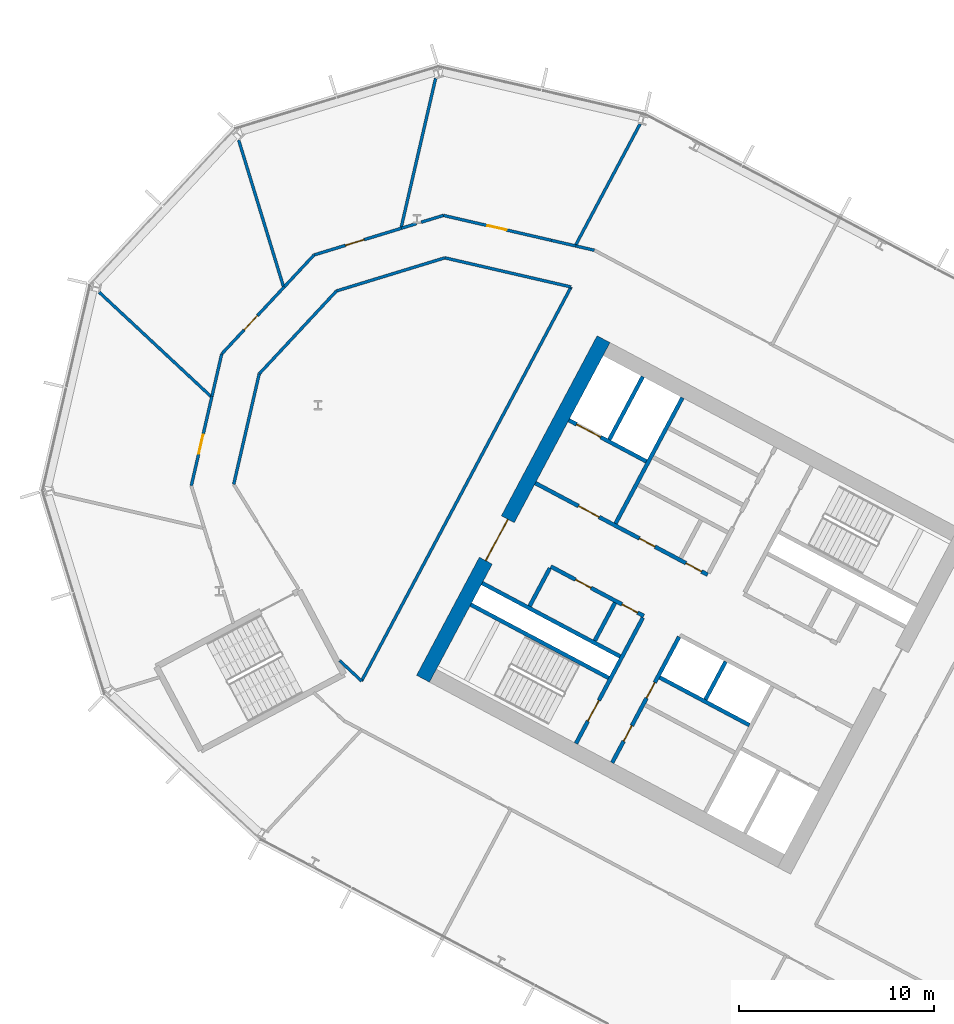
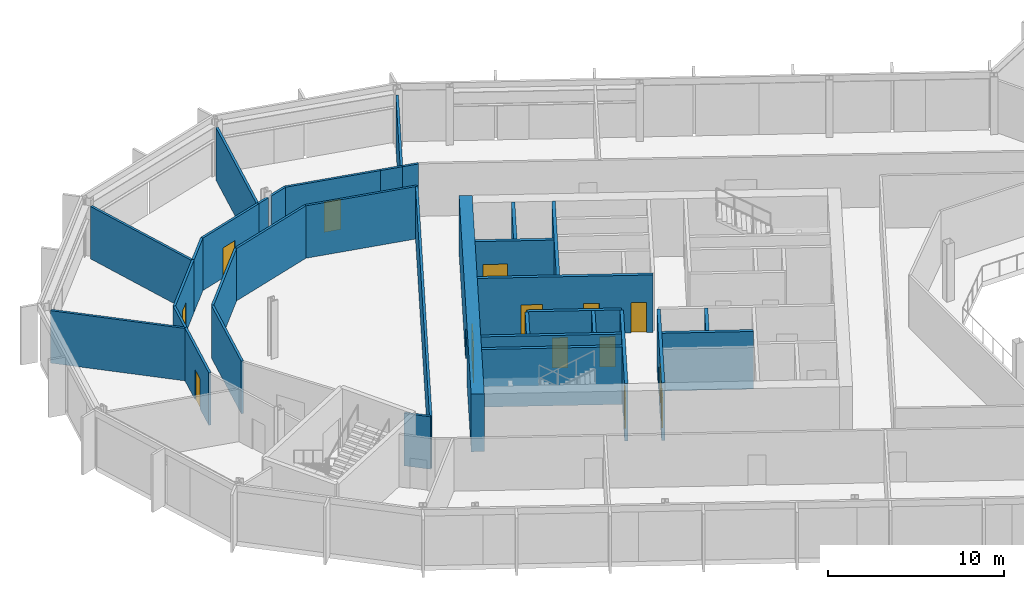
# One storey, part 14 of 28: 34 walls, 14 doors, 14 openings.
"""IFC4 building model written with IfcOpenShell, lengths in metres."""

from ifc_helpers import new_model, si_unit, direction, frame, frame_2d, origin, place, context, subcontext, project, spatial, rectangle, extrude, material, layer, layer_set, type_object, element, fill, save


model = new_model("IFC4")

# Units and contexts
model_context = context("Model", 3, precision=1e-05, world=origin(), true_north=direction((0.0, 1.0)))
body_context = subcontext(model_context, "Body", "Model", "MODEL_VIEW")
ifc_project = project(units=[si_unit("LENGTHUNIT", "METRE"), si_unit("AREAUNIT", "SQUARE_METRE"), si_unit("VOLUMEUNIT", "CUBIC_METRE"), si_unit("PLANEANGLEUNIT", "RADIAN"), si_unit("MASSUNIT", "GRAM", prefix="KILO")], contexts=[model_context])

# Site, building, storey
site_placement = place(None, origin())
site = spatial("IfcSite", under=ifc_project, at=site_placement, CompositionType="ELEMENT")
building_placement = place(site_placement, origin())
building = spatial("IfcBuilding", under=site, at=building_placement, Name="Cormorant Relay Tower", CompositionType="ELEMENT")
storey_placement = place(building_placement, frame((0.0, 0.0, 126.199951171875)))
storey = spatial("IfcBuildingStorey", under=building, at=storey_placement, Name="L25", CompositionType="ELEMENT", Elevation=126.199951171875)

# Walls
ifc_material_1 = material(Name="Concrete 40 MPa", Category="concrete")
ifc_layer_1 = layer(ifc_material_1, 0.199951171875)
ifc_layer_set_1 = layer_set([ifc_layer_1], Name="Core internal wall 200")
wall_type_1 = type_object("IfcWallType", Name="Core internal wall 200", PredefinedType="SOLIDWALL", material=ifc_layer_set_1)
wall_1_placement = place(storey_placement, frame((-25.744140625, 11.64990234375, 0.0), z_axis=(0.0, 0.0, 1.0), x_axis=(-0.469487830541, -0.882938942948, 0.0)))
element("IfcWall", 1, at=wall_1_placement, inside=storey, type_object=wall_type_1, Name="L25 core A shaft and room wall", PredefinedType="SOLIDWALL", context=body_context, shape_type="SweptSolid", body=[
    extrude(rectangle(XDim=2.2001953125, YDim=0.199951171875, at=frame_2d((1.10009765625, 0.0))), origin(), (0.0, 0.0, 1.0), 4.0),
])
wall_2_placement = place(storey_placement, frame((-31.41259765625, 14.663818359375, 0.0), z_axis=(0.0, 0.0, 1.0), x_axis=(-0.469533832133, -0.882914480843, 0.0)))
element("IfcWall", 2, at=wall_2_placement, inside=storey, type_object=wall_type_1, Name="L25 core A shaft and room wall", PredefinedType="SOLIDWALL", context=body_context, shape_type="SweptSolid", body=[
    extrude(rectangle(XDim=2.199951171875, YDim=0.199951171875, at=frame_2d((1.10009765625, 0.0))), origin(), (0.0, 0.0, 1.0), 4.0),
])

# Wall, openings, doors
ifc_material_2 = material(Name="Concrete 50 MPa", Category="concrete")
ifc_layer_2 = layer(ifc_material_2, 0.199951171875)
ifc_layer_set_2 = layer_set([ifc_layer_2], Name="Core shaft wall 200")
wall_type_2 = type_object("IfcWallType", Name="Core shaft wall 200", PredefinedType="SHEAR", material=ifc_layer_set_2)
wall_3_placement = place(storey_placement, frame((-28.128173828125, 12.91748046875, 0.0), z_axis=(0.0, 0.0, 1.0), x_axis=(-0.469454336211, -0.882956752176, 0.0)))
wall_3 = element("IfcWall", 3, at=wall_3_placement, inside=storey, type_object=wall_type_2, Name="L25 core A shaft wall", PredefinedType="SHEAR", context=body_context, shape_type="SweptSolid", body=[
    extrude(rectangle(XDim=7.300048828125, YDim=0.199951171875, at=frame_2d((3.64990234375, 0.0))), origin(), (0.0, 0.0, 1.0), 4.0),
])
opening_1_placement = place(wall_3_placement, frame((2.64990234375, 0.0, 0.0)))
opening_1 = element("IfcOpeningElement", 4, at=opening_1_placement, cuts=wall_3, Name="Opening CDD-172", PredefinedType="OPENING", context=body_context, shape_type="SweptSolid", body=[
    extrude(rectangle(XDim=0.89990234375, YDim=2.10009765625, at=frame_2d((0.449951171875, 1.050048828125))), frame((0.0, 0.10986328125, 0.0), z_axis=(0.0, -1.0, 0.0), x_axis=(1.0, 0.0, 0.0)), (0.0, 0.0, 1.0), 0.219970703125),
])
opening_2_placement = place(wall_3_placement, frame((5.14990234375, 0.0, 0.0)))
opening_2 = element("IfcOpeningElement", 5, at=opening_2_placement, cuts=wall_3, Name="Opening CDD-173", PredefinedType="OPENING", context=body_context, shape_type="SweptSolid", body=[
    extrude(rectangle(XDim=0.89990234375, YDim=2.10009765625, at=frame_2d((0.449951171875, 1.050048828125))), frame((0.0, 0.10986328125, 0.0), z_axis=(0.0, -1.0, 0.0), x_axis=(1.0, 0.0, 0.0)), (0.0, 0.0, 1.0), 0.219970703125),
])
ifc_material_3 = material(Name="Steel fire door", Category="steel")
door_type_1 = type_object("IfcDoorType", Name="Core room door 900x2100", OperationType="SINGLE_SWING_LEFT", PredefinedType="DOOR", material=ifc_material_3)
door_1_placement = place(opening_1_placement, origin())
door_1 = element("IfcDoor", 6, at=door_1_placement, inside=storey, type_object=door_type_1, Name="Core room door 900x2100", OperationType="SINGLE_SWING_LEFT", OverallHeight=2.10009765625, OverallWidth=0.89990234375, PredefinedType="DOOR", context=body_context, shape_type="SweptSolid", body=[
    extrude(rectangle(XDim=0.89990234375, YDim=2.10009765625, at=frame_2d((0.449951171875, 1.050048828125))), frame((0.0, 0.02490234375, 0.0), z_axis=(0.0, -1.0, 0.0), x_axis=(1.0, 0.0, 0.0)), (0.0, 0.0, 1.0), 0.050048828125),
])
fill(opening_1, door_1)
door_2_placement = place(opening_2_placement, origin())
door_2 = element("IfcDoor", 7, at=door_2_placement, inside=storey, type_object=door_type_1, Name="Core room door 900x2100", OperationType="SINGLE_SWING_LEFT", OverallHeight=2.10009765625, OverallWidth=0.89990234375, PredefinedType="DOOR", context=body_context, shape_type="SweptSolid", body=[
    extrude(rectangle(XDim=0.89990234375, YDim=2.10009765625, at=frame_2d((0.449951171875, 1.050048828125))), frame((0.0, 0.02490234375, 0.0), z_axis=(0.0, -1.0, 0.0), x_axis=(1.0, 0.0, 0.0)), (0.0, 0.0, 1.0), 0.050048828125),
])
fill(opening_2, door_2)

# Wall, opening, door
wall_4_placement = place(storey_placement, frame((-29.982421875, 13.9033203125, 0.0), z_axis=(0.0, 0.0, 1.0), x_axis=(-0.469454336211, -0.882956752176, 0.0)))
wall_4 = element("IfcWall", 8, at=wall_4_placement, inside=storey, type_object=wall_type_2, Name="L25 core A shaft wall", PredefinedType="SHEAR", context=body_context, shape_type="SweptSolid", body=[
    extrude(rectangle(XDim=7.300048828125, YDim=0.199951171875, at=frame_2d((3.64990234375, 0.0))), origin(), (0.0, 0.0, 1.0), 4.0),
])
opening_3_placement = place(wall_4_placement, frame((4.800048828125, 0.0, 0.0)))
opening_3 = element("IfcOpeningElement", 9, at=opening_3_placement, cuts=wall_4, Name="Opening CDB-035", PredefinedType="OPENING", context=body_context, shape_type="SweptSolid", body=[
    extrude(rectangle(XDim=1.199951171875, YDim=2.10009765625, at=frame_2d((0.60009765625, 1.050048828125))), frame((0.0, 0.10986328125, 0.0), z_axis=(0.0, -1.0, 0.0), x_axis=(1.0, 0.0, 0.0)), (0.0, 0.0, 1.0), 0.219970703125),
])
ifc_material_4 = material(Name="Steel fire door", Category="steel")
door_type_2 = type_object("IfcDoorType", Name="Core stair door 1200x2100", OperationType="SINGLE_SWING_LEFT", PredefinedType="DOOR", material=ifc_material_4)
door_3_placement = place(opening_3_placement, frame((1.199951171875, 0.0, 0.0), z_axis=(0.0, 0.0, 1.0), x_axis=(-1.0, 0.0, 0.0)))
door_3 = element("IfcDoor", 10, at=door_3_placement, inside=storey, type_object=door_type_2, Name="Core stair door 1200x2100", OperationType="SINGLE_SWING_RIGHT", OverallHeight=2.10009765625, OverallWidth=1.199951171875, PredefinedType="DOOR", context=body_context, shape_type="SweptSolid", body=[
    extrude(rectangle(XDim=1.199951171875, YDim=2.10009765625, at=frame_2d((0.60009765625, 1.050048828125))), frame((0.0, 0.02490234375, 0.0), z_axis=(0.0, -1.0, 0.0), x_axis=(1.0, 0.0, 0.0)), (0.0, 0.0, 1.0), 0.050048828125),
])
fill(opening_3, door_3)

# Walls
wall_5_placement = place(storey_placement, frame((-27.955322265625, 25.170654296875, 0.0), z_axis=(0.0, 0.0, 1.0), x_axis=(-0.469480409012, -0.88294288918, 0.0)))
element("IfcWall", 11, at=wall_5_placement, inside=storey, type_object=wall_type_2, Name="L25 core A shaft wall", PredefinedType="SHEAR", context=body_context, shape_type="SweptSolid", body=[
    extrude(rectangle(XDim=7.300048828125, YDim=0.199951171875, at=frame_2d((3.64990234375, 0.0))), origin(), (0.0, 0.0, 1.0), 4.0),
])
wall_6_placement = place(storey_placement, frame((-34.750244140625, 16.4384765625, 0.0), z_axis=(0.0, 0.0, 1.0), x_axis=(-0.469401318492, -0.882984938828, 0.0)))
element("IfcWall", 12, at=wall_6_placement, inside=storey, type_object=wall_type_2, Name="L25 core A shaft wall", PredefinedType="SHEAR", context=body_context, shape_type="SweptSolid", body=[
    extrude(rectangle(XDim=2.199951171875, YDim=0.199951171875, at=frame_2d((1.10009765625, 0.0))), origin(), (0.0, 0.0, 1.0), 4.0),
])
wall_7_placement = place(storey_placement, frame((-29.986083984375, 26.250244140625, 0.0), z_axis=(0.0, 0.0, 1.0), x_axis=(-0.469494272526, -0.882935517501, 0.0)))
element("IfcWall", 13, at=wall_7_placement, inside=storey, type_object=wall_type_2, Name="L25 core A shaft wall", PredefinedType="SHEAR", context=body_context, shape_type="SweptSolid", body=[
    extrude(rectangle(XDim=3.64990234375, YDim=0.199951171875, at=frame_2d((1.824951171875, 0.0))), origin(), (0.0, 0.0, 1.0), 4.0),
])

# Wall, opening, door
wall_8_placement = place(storey_placement, frame((-29.80419921875, 21.906494140625, 0.0), z_axis=(0.0, 0.0, 1.0), x_axis=(-0.882960433586, 0.469447412093, 0.0)))
wall_8 = element("IfcWall", 14, at=wall_8_placement, inside=storey, type_object=wall_type_2, Name="L25 core A shaft wall", PredefinedType="SHEAR", context=body_context, shape_type="SweptSolid", body=[
    extrude(rectangle(XDim=4.5, YDim=0.199951171875, at=frame_2d((2.25, 0.0))), origin(), (0.0, 0.0, 1.0), 4.0),
])
opening_4_placement = place(wall_8_placement, frame((2.64990234375, 0.0, 0.0)))
opening_4 = element("IfcOpeningElement", 15, at=opening_4_placement, cuts=wall_8, Name="Opening LD3-013", PredefinedType="OPENING", context=body_context, shape_type="SweptSolid", body=[
    extrude(rectangle(XDim=1.39990234375, YDim=2.39990234375, at=frame_2d((0.699951171875, 1.199951171875))), frame((0.0, 0.10986328125, 0.0), z_axis=(0.0, -1.0, 0.0), x_axis=(1.0, 0.0, 0.0)), (0.0, 0.0, 1.0), 0.219970703125),
])
ifc_material_5 = material(Name="Stainless steel 316", Category="steel")
door_type_3 = type_object("IfcDoorType", Name="Lift landing door 1400x2400", OperationType="DOUBLE_DOOR_SLIDING", PredefinedType="DOOR", material=ifc_material_5)
door_4_placement = place(opening_4_placement, origin())
door_4 = element("IfcDoor", 16, at=door_4_placement, inside=storey, type_object=door_type_3, Name="SV1 landing door", OperationType="DOUBLE_DOOR_SLIDING", OverallHeight=2.39990234375, OverallWidth=1.39990234375, PredefinedType="DOOR", context=body_context, shape_type="SweptSolid", body=[
    extrude(rectangle(XDim=1.39990234375, YDim=2.39990234375, at=frame_2d((0.699951171875, 1.199951171875))), frame((0.0, 0.02490234375, 0.0), z_axis=(0.0, -1.0, 0.0), x_axis=(1.0, 0.0, 0.0)), (0.0, 0.0, 1.0), 0.050048828125),
])
fill(opening_4, door_4)

# Wall, openings, doors
wall_9_placement = place(storey_placement, frame((-26.66162109375, 16.1015625, 0.0), z_axis=(0.0, 0.0, 1.0), x_axis=(-0.882940221191, 0.469485426614, 0.0)))
wall_9 = element("IfcWall", 17, at=wall_9_placement, inside=storey, type_object=wall_type_2, Name="L25 core A shaft wall", PredefinedType="SHEAR", context=body_context, shape_type="SweptSolid", body=[
    extrude(rectangle(XDim=10.0, YDim=0.199951171875, at=frame_2d((5.0, 0.0))), origin(), (0.0, 0.0, 1.0), 4.0),
])
opening_5_placement = place(wall_9_placement, frame((6.300048828125, 0.0, 0.0)))
opening_5 = element("IfcOpeningElement", 18, at=opening_5_placement, cuts=wall_9, Name="Opening CDC-026", PredefinedType="OPENING", context=body_context, shape_type="SweptSolid", body=[
    extrude(rectangle(XDim=1.199951171875, YDim=2.10009765625, at=frame_2d((0.60009765625, 1.050048828125))), frame((0.0, 0.10986328125, 0.0), z_axis=(0.0, -1.0, 0.0), x_axis=(1.0, 0.0, 0.0)), (0.0, 0.0, 1.0), 0.219970703125),
])
opening_6_placement = place(wall_9_placement, frame((0.360107421875, 0.0, 0.0)))
opening_6 = element("IfcOpeningElement", 19, at=opening_6_placement, cuts=wall_9, Name="Opening CDD-170", PredefinedType="OPENING", context=body_context, shape_type="SweptSolid", body=[
    extrude(rectangle(XDim=0.89990234375, YDim=2.10009765625, at=frame_2d((0.449951171875, 1.050048828125))), frame((0.0, 0.10986328125, 0.0), z_axis=(0.0, -1.0, 0.0), x_axis=(1.0, 0.0, 0.0)), (0.0, 0.0, 1.0), 0.219970703125),
])
opening_7_placement = place(wall_9_placement, frame((3.06005859375, 0.0, 0.0)))
opening_7 = element("IfcOpeningElement", 20, at=opening_7_placement, cuts=wall_9, Name="Opening CDD-171", PredefinedType="OPENING", context=body_context, shape_type="SweptSolid", body=[
    extrude(rectangle(XDim=0.89990234375, YDim=2.10009765625, at=frame_2d((0.449951171875, 1.050048828125))), frame((0.0, 0.10986328125, 0.0), z_axis=(0.0, -1.0, 0.0), x_axis=(1.0, 0.0, 0.0)), (0.0, 0.0, 1.0), 0.219970703125),
])
ifc_material_6 = material(Name="Steel fire door", Category="steel")
door_type_4 = type_object("IfcDoorType", Name="Core lobby door 1200x2100", OperationType="SINGLE_SWING_LEFT", PredefinedType="DOOR", material=ifc_material_6)
door_5_placement = place(opening_5_placement, origin())
door_5 = element("IfcDoor", 21, at=door_5_placement, inside=storey, type_object=door_type_4, Name="Core lobby door 1200x2100", OperationType="SINGLE_SWING_LEFT", OverallHeight=2.10009765625, OverallWidth=1.199951171875, PredefinedType="DOOR", context=body_context, shape_type="SweptSolid", body=[
    extrude(rectangle(XDim=1.199951171875, YDim=2.10009765625, at=frame_2d((0.60009765625, 1.050048828125))), frame((0.0, 0.02490234375, 0.0), z_axis=(0.0, -1.0, 0.0), x_axis=(1.0, 0.0, 0.0)), (0.0, 0.0, 1.0), 0.050048828125),
])
fill(opening_5, door_5)
door_6_placement = place(opening_6_placement, origin())
door_6 = element("IfcDoor", 22, at=door_6_placement, inside=storey, type_object=door_type_1, Name="Core room door 900x2100", OperationType="SINGLE_SWING_LEFT", OverallHeight=2.10009765625, OverallWidth=0.89990234375, PredefinedType="DOOR", context=body_context, shape_type="SweptSolid", body=[
    extrude(rectangle(XDim=0.89990234375, YDim=2.10009765625, at=frame_2d((0.449951171875, 1.050048828125))), frame((0.0, 0.02490234375, 0.0), z_axis=(0.0, -1.0, 0.0), x_axis=(1.0, 0.0, 0.0)), (0.0, 0.0, 1.0), 0.050048828125),
])
fill(opening_6, door_6)
door_7_placement = place(opening_7_placement, origin())
door_7 = element("IfcDoor", 23, at=door_7_placement, inside=storey, type_object=door_type_1, Name="Core room door 900x2100", OperationType="SINGLE_SWING_LEFT", OverallHeight=2.10009765625, OverallWidth=0.89990234375, PredefinedType="DOOR", context=body_context, shape_type="SweptSolid", body=[
    extrude(rectangle(XDim=0.89990234375, YDim=2.10009765625, at=frame_2d((0.449951171875, 1.050048828125))), frame((0.0, 0.02490234375, 0.0), z_axis=(0.0, -1.0, 0.0), x_axis=(1.0, 0.0, 0.0)), (0.0, 0.0, 1.0), 0.050048828125),
])
fill(opening_7, door_7)

wall_10_placement = place(storey_placement, frame((-29.935302734375, 13.991455078125, 0.0), z_axis=(0.0, 0.0, 1.0), x_axis=(-0.882952937579, 0.469461510692, 0.0)))
wall_10 = element("IfcWall", 24, at=wall_10_placement, inside=storey, type_object=wall_type_2, Name="L25 core A shaft wall", PredefinedType="SHEAR", context=body_context, shape_type="SweptSolid", body=[
    extrude(rectangle(XDim=5.400146484375, YDim=0.199951171875, at=frame_2d((2.7001953125, 0.0))), origin(), (0.0, 0.0, 1.0), 4.0),
])
opening_8_placement = place(wall_10_placement, frame((0.360107421875, 0.0, 0.0)))
opening_8 = element("IfcOpeningElement", 25, at=opening_8_placement, cuts=wall_10, Name="Opening CDD-166", PredefinedType="OPENING", context=body_context, shape_type="SweptSolid", body=[
    extrude(rectangle(XDim=0.89990234375, YDim=2.10009765625, at=frame_2d((0.449951171875, 1.050048828125))), frame((0.0, 0.10986328125, 0.0), z_axis=(0.0, -1.0, 0.0), x_axis=(1.0, 0.0, 0.0)), (0.0, 0.0, 1.0), 0.219970703125),
])
opening_9_placement = place(wall_10_placement, frame((3.06005859375, 0.0, 0.0)))
opening_9 = element("IfcOpeningElement", 26, at=opening_9_placement, cuts=wall_10, Name="Opening CDD-167", PredefinedType="OPENING", context=body_context, shape_type="SweptSolid", body=[
    extrude(rectangle(XDim=0.89990234375, YDim=2.10009765625, at=frame_2d((0.449951171875, 1.050048828125))), frame((0.0, 0.10986328125, 0.0), z_axis=(0.0, -1.0, 0.0), x_axis=(1.0, 0.0, 0.0)), (0.0, 0.0, 1.0), 0.219970703125),
])
door_8_placement = place(opening_8_placement, origin())
door_8 = element("IfcDoor", 27, at=door_8_placement, inside=storey, type_object=door_type_1, Name="Core room door 900x2100", OperationType="SINGLE_SWING_LEFT", OverallHeight=2.10009765625, OverallWidth=0.89990234375, PredefinedType="DOOR", context=body_context, shape_type="SweptSolid", body=[
    extrude(rectangle(XDim=0.89990234375, YDim=2.10009765625, at=frame_2d((0.449951171875, 1.050048828125))), frame((0.0, 0.02490234375, 0.0), z_axis=(0.0, -1.0, 0.0), x_axis=(1.0, 0.0, 0.0)), (0.0, 0.0, 1.0), 0.050048828125),
])
fill(opening_8, door_8)
door_9_placement = place(opening_9_placement, origin())
door_9 = element("IfcDoor", 28, at=door_9_placement, inside=storey, type_object=door_type_1, Name="Core room door 900x2100", OperationType="SINGLE_SWING_LEFT", OverallHeight=2.10009765625, OverallWidth=0.89990234375, PredefinedType="DOOR", context=body_context, shape_type="SweptSolid", body=[
    extrude(rectangle(XDim=0.89990234375, YDim=2.10009765625, at=frame_2d((0.449951171875, 1.050048828125))), frame((0.0, 0.02490234375, 0.0), z_axis=(0.0, -1.0, 0.0), x_axis=(1.0, 0.0, 0.0)), (0.0, 0.0, 1.0), 0.050048828125),
])
fill(opening_9, door_9)

# Walls
wall_11_placement = place(storey_placement, frame((-24.5283203125, 8.3984375, 0.0), z_axis=(0.0, 0.0, 1.0), x_axis=(-0.882953967957, 0.469459572775, 0.0)))
element("IfcWall", 29, at=wall_11_placement, inside=storey, type_object=wall_type_2, Name="L25 core A shaft wall", PredefinedType="SHEAR", context=body_context, shape_type="SweptSolid", body=[
    extrude(rectangle(XDim=5.199951171875, YDim=0.199951171875, at=frame_2d((2.60009765625, 0.0))), origin(), (0.0, 0.0, 1.0), 4.0),
])
for number, where, z_axis, x_axis, name in (
    (30, (-31.150390625, 11.91943359375, 0.0), (0.0, 0.0, 1.0), (-0.882940221191, 0.469485426614, 0.0), "L25 core A shaft wall"),
    (31, (-31.7373046875, 10.815673828125, 0.0), (0.0, 0.0, 1.0), (-0.882940221191, 0.469485426614, 0.0), "L25 core A shaft wall"),
):
    element("IfcWall", number, at=place(storey_placement, frame(where, z_axis=z_axis, x_axis=x_axis)), inside=storey, type_object=wall_type_2, Name=name, PredefinedType="SHEAR", context=body_context, shape_type="SweptSolid", body=[
        extrude(rectangle(XDim=8.0, YDim=0.199951171875, at=frame_2d((4.0, 0.0))), origin(), (0.0, 0.0, 1.0), 4.0),
    ])

# Wall, opening, door
ifc_material_7 = material(Name="Concrete 60 MPa", Category="concrete")
ifc_layer_3 = layer(ifc_material_7, 0.75)
ifc_layer_set_3 = layer_set([ifc_layer_3], Name="Core wall 750")
wall_type_3 = type_object("IfcWallType", Name="Core wall 750", PredefinedType="SHEAR", material=ifc_layer_set_3)
wall_12_placement = place(storey_placement, frame((-31.995849609375, 28.16845703125, 0.0), z_axis=(0.0, 0.0, 1.0), x_axis=(-0.469479580143, -0.882943329908, 0.0)))
wall_12 = element("IfcWall", 32, at=wall_12_placement, inside=storey, type_object=wall_type_3, Name="L25 core A wall", PredefinedType="SHEAR", context=body_context, shape_type="SweptSolid", body=[
    extrude(rectangle(XDim=19.699951171875, YDim=0.75, at=frame_2d((9.85009765625, 0.0))), origin(), (0.0, 0.0, 1.0), 4.0),
])
opening_10_placement = place(wall_12_placement, frame((10.449951171875, 0.0, 0.0)))
opening_10 = element("IfcOpeningElement", 33, at=opening_10_placement, cuts=wall_12, Name="Opening CDA-027", PredefinedType="OPENING", context=body_context, shape_type="SweptSolid", body=[
    extrude(rectangle(XDim=2.39990234375, YDim=2.39990234375, at=frame_2d((1.199951171875, 1.199951171875))), frame((0.0, 0.385009765625, 0.0), z_axis=(0.0, -1.0, 0.0), x_axis=(1.0, 0.0, 0.0)), (0.0, 0.0, 1.0), 0.77001953125),
])
ifc_material_8 = material(Name="Steel fire door", Category="steel")
door_type_5 = type_object("IfcDoorType", Name="Core lobby door 2400x2400", OperationType="DOUBLE_DOOR_SINGLE_SWING", PredefinedType="DOOR", material=ifc_material_8)
door_10_placement = place(opening_10_placement, origin())
door_10 = element("IfcDoor", 34, at=door_10_placement, inside=storey, type_object=door_type_5, Name="Core lobby door 2400x2400", OperationType="DOUBLE_DOOR_SINGLE_SWING", OverallHeight=2.39990234375, OverallWidth=2.39990234375, PredefinedType="DOOR", context=body_context, shape_type="SweptSolid", body=[
    extrude(rectangle(XDim=2.39990234375, YDim=2.39990234375, at=frame_2d((1.199951171875, 1.199951171875))), frame((0.0, 0.02490234375, 0.0), z_axis=(0.0, -1.0, 0.0), x_axis=(1.0, 0.0, 0.0)), (0.0, 0.0, 1.0), 0.050048828125),
])
fill(opening_10, door_10)

ifc_material_9 = material(Name="Gypsum board fire partition")
ifc_layer_4 = layer(ifc_material_9, 0.14990234375)
ifc_layer_set_4 = layer_set([ifc_layer_4], Name="Corridor partition 150 EI 60")
wall_type_4 = type_object("IfcWallType", Name="Corridor partition 150 EI 60", PredefinedType="PARTITIONING", material=ifc_layer_set_4)
wall_13_placement = place(storey_placement, frame((-52.055908203125, 25.24609375, 0.0), z_axis=(0.0, 0.0, 1.0), x_axis=(-0.224961765576, -0.97436759184, 0.0)))
wall_13 = element("IfcWall", 35, at=wall_13_placement, inside=storey, type_object=wall_type_4, Name="wall/L25/part/004", PredefinedType="PARTITIONING", context=body_context, shape_type="SweptSolid", body=[
    extrude(rectangle(XDim=4.707763671875, YDim=0.14990234375, at=frame_2d((2.35400390625, 0.0))), origin(), (0.0, 0.0, 1.0), 3.64013671875),
])
opening_11_placement = place(wall_13_placement, frame((2.02392578125, 0.0, 0.0)))
opening_11 = element("IfcOpeningElement", 36, at=opening_11_placement, cuts=wall_13, Name="Opening DS-011", PredefinedType="OPENING", context=body_context, shape_type="SweptSolid", body=[
    extrude(rectangle(XDim=1.0, YDim=2.10009765625, at=frame_2d((0.5, 1.050048828125))), frame((0.0, 0.0849609375, 0.0), z_axis=(0.0, -1.0, 0.0), x_axis=(1.0, 0.0, 0.0)), (0.0, 0.0, 1.0), 0.169921875),
])
ifc_material_10 = material(Name="Timber door leaf", Category="wood")
door_type_6 = type_object("IfcDoorType", Name="Suite door 1000x2100", OperationType="SINGLE_SWING_LEFT", PredefinedType="DOOR", material=ifc_material_10)
door_11_placement = place(opening_11_placement, frame((1.0, 0.0, 0.0), z_axis=(0.0, 0.0, 1.0), x_axis=(-1.0, 0.0, 0.0)))
door_11 = element("IfcDoor", 37, at=door_11_placement, inside=storey, type_object=door_type_6, Name="door/L25/015", OperationType="SINGLE_SWING_RIGHT", OverallHeight=2.10009765625, OverallWidth=1.0, PredefinedType="DOOR", context=body_context, shape_type="SweptSolid", body=[
    extrude(rectangle(XDim=1.0, YDim=2.10009765625, at=frame_2d((0.5, 1.050048828125))), frame((0.0, 0.02490234375, 0.0), z_axis=(0.0, -1.0, 0.0), x_axis=(1.0, 0.0, 0.0)), (0.0, 0.0, 1.0), 0.050048828125),
])
fill(opening_11, door_11)

wall_14_placement = place(storey_placement, frame((-48.344970703125, 30.85595703125, 0.0), z_axis=(0.0, 0.0, 1.0), x_axis=(-0.682044743799, -0.731310445335, 0.0)))
wall_14 = element("IfcWall", 38, at=wall_14_placement, inside=storey, type_object=wall_type_4, Name="wall/L25/part/008", PredefinedType="PARTITIONING", context=body_context, shape_type="SweptSolid", body=[
    extrude(rectangle(XDim=4.707763671875, YDim=0.14990234375, at=frame_2d((2.35400390625, 0.0))), origin(), (0.0, 0.0, 1.0), 3.64013671875),
])
opening_12_placement = place(wall_14_placement, frame((2.02392578125, 0.0, 0.0)))
opening_12 = element("IfcOpeningElement", 39, at=opening_12_placement, cuts=wall_14, Name="Opening DS-010", PredefinedType="OPENING", context=body_context, shape_type="SweptSolid", body=[
    extrude(rectangle(XDim=1.0, YDim=2.10009765625, at=frame_2d((0.5, 1.050048828125))), frame((0.0, 0.0849609375, 0.0), z_axis=(0.0, -1.0, 0.0), x_axis=(1.0, 0.0, 0.0)), (0.0, 0.0, 1.0), 0.169921875),
])
door_12_placement = place(opening_12_placement, frame((1.0, 0.0, 0.0), z_axis=(0.0, 0.0, 1.0), x_axis=(-1.0, 0.0, 0.0)))
door_12 = element("IfcDoor", 40, at=door_12_placement, inside=storey, type_object=door_type_6, Name="door/L25/014", OperationType="SINGLE_SWING_RIGHT", OverallHeight=2.10009765625, OverallWidth=1.0, PredefinedType="DOOR", context=body_context, shape_type="SweptSolid", body=[
    extrude(rectangle(XDim=1.0, YDim=2.10009765625, at=frame_2d((0.5, 1.050048828125))), frame((0.0, 0.02490234375, 0.0), z_axis=(0.0, -1.0, 0.0), x_axis=(1.0, 0.0, 0.0)), (0.0, 0.0, 1.0), 0.050048828125),
])
fill(opening_12, door_12)

# Wall
wall_15_placement = place(storey_placement, frame((-51.555908203125, 27.4130859375, 0.0), z_axis=(0.0, 0.0, 1.0), x_axis=(-0.225019992363, -0.974354146621, 0.0)))
element("IfcWall", 41, at=wall_15_placement, inside=storey, type_object=wall_type_4, Name="wall/L25/part/009", PredefinedType="PARTITIONING", context=body_context, shape_type="SweptSolid", body=[
    extrude(rectangle(XDim=2.221923828125, YDim=0.14990234375, at=frame_2d((1.11083984375, 0.0))), origin(), (0.0, 0.0, 1.0), 3.64013671875),
])

# Wall, opening, door
wall_16_placement = place(storey_placement, frame((-42.325927734375, 33.85791015625, 0.0), z_axis=(0.0, 0.0, 1.0), x_axis=(-0.956351168554, -0.292219852858, 0.0)))
wall_16 = element("IfcWall", 42, at=wall_16_placement, inside=storey, type_object=wall_type_4, Name="wall/L25/part/013", PredefinedType="PARTITIONING", context=body_context, shape_type="SweptSolid", body=[
    extrude(rectangle(XDim=4.708740234375, YDim=0.14990234375, at=frame_2d((2.3544921875, 0.0))), origin(), (0.0, 0.0, 1.0), 3.64013671875),
])
opening_13_placement = place(wall_16_placement, frame((2.02490234375, 0.0, 0.0)))
opening_13 = element("IfcOpeningElement", 43, at=opening_13_placement, cuts=wall_16, Name="Opening DS-009", PredefinedType="OPENING", context=body_context, shape_type="SweptSolid", body=[
    extrude(rectangle(XDim=1.0, YDim=2.10009765625, at=frame_2d((0.5, 1.050048828125))), frame((0.0, 0.0849609375, 0.0), z_axis=(0.0, -1.0, 0.0), x_axis=(1.0, 0.0, 0.0)), (0.0, 0.0, 1.0), 0.169921875),
])
door_13_placement = place(opening_13_placement, frame((1.0, 0.0, 0.0), z_axis=(0.0, 0.0, 1.0), x_axis=(-1.0, 0.0, 0.0)))
door_13 = element("IfcDoor", 44, at=door_13_placement, inside=storey, type_object=door_type_6, Name="door/L25/013", OperationType="SINGLE_SWING_RIGHT", OverallHeight=2.10009765625, OverallWidth=1.0, PredefinedType="DOOR", context=body_context, shape_type="SweptSolid", body=[
    extrude(rectangle(XDim=1.0, YDim=2.10009765625, at=frame_2d((0.5, 1.050048828125))), frame((0.0, 0.02490234375, 0.0), z_axis=(0.0, -1.0, 0.0), x_axis=(1.0, 0.0, 0.0)), (0.0, 0.0, 1.0), 0.050048828125),
])
fill(opening_13, door_13)

# Walls
wall_17_placement = place(storey_placement, frame((-46.8291015625, 32.48193359375, 0.0), z_axis=(0.0, 0.0, 1.0), x_axis=(-0.681891349178, -0.731453476249, 0.0)))
element("IfcWall", 45, at=wall_17_placement, inside=storey, type_object=wall_type_4, Name="wall/L25/part/014", PredefinedType="PARTITIONING", context=body_context, shape_type="SweptSolid", body=[
    extrude(rectangle(XDim=2.2216796875, YDim=0.14990234375, at=frame_2d((1.11083984375, 0.0))), origin(), (0.0, 0.0, 1.0), 3.64013671875),
])
wall_18_placement = place(storey_placement, frame((-50.94189453125, 20.735107421875, 0.0), z_axis=(0.0, 0.0, 1.0), x_axis=(0.224933214218, 0.974374183331, 0.0)))
element("IfcWall", 46, at=wall_18_placement, inside=storey, type_object=wall_type_4, Name="wall/L25/part/016", PredefinedType="PARTITIONING", context=body_context, shape_type="SweptSolid", body=[
    extrude(rectangle(XDim=5.8056640625, YDim=0.14990234375, at=frame_2d((2.90283203125, 0.0))), origin(), (0.0, 0.0, 1.0), 3.64013671875),
])
wall_19_placement = place(storey_placement, frame((-49.635986328125, 26.39208984375, 0.0), z_axis=(0.0, 0.0, 1.0), x_axis=(0.681967545176, 0.731382435752, 0.0)))
element("IfcWall", 47, at=wall_19_placement, inside=storey, type_object=wall_type_4, Name="wall/L25/part/017", PredefinedType="PARTITIONING", context=body_context, shape_type="SweptSolid", body=[
    extrude(rectangle(XDim=5.80517578125, YDim=0.14990234375, at=frame_2d((2.902587890625, 0.0))), origin(), (0.0, 0.0, 1.0), 3.64013671875),
])
wall_20_placement = place(storey_placement, frame((-45.677001953125, 30.637939453125, 0.0), z_axis=(0.0, 0.0, 1.0), x_axis=(0.956291169849, 0.292416139208, 0.0)))
element("IfcWall", 48, at=wall_20_placement, inside=storey, type_object=wall_type_4, Name="wall/L25/part/018", PredefinedType="PARTITIONING", context=body_context, shape_type="SweptSolid", body=[
    extrude(rectangle(XDim=5.806884765625, YDim=0.14990234375, at=frame_2d((2.9033203125, 0.0))), origin(), (0.0, 0.0, 1.0), 3.64013671875),
])
wall_21_placement = place(storey_placement, frame((-40.1240234375, 32.3359375, 0.0), z_axis=(0.0, 0.0, 1.0), x_axis=(0.974383752234, -0.224891759259, 0.0)))
element("IfcWall", 49, at=wall_21_placement, inside=storey, type_object=wall_type_4, Name="wall/L25/part/019", PredefinedType="PARTITIONING", context=body_context, shape_type="SweptSolid", body=[
    extrude(rectangle(XDim=6.634033203125, YDim=0.14990234375, at=frame_2d((3.31689453125, 0.0))), origin(), (0.0, 0.0, 1.0), 3.64013671875),
])
wall_22_placement = place(storey_placement, frame((-33.659912109375, 30.843994140625, 0.0), z_axis=(0.0, 0.0, 1.0), x_axis=(-0.469473234242, -0.882946704128, 0.0)))
element("IfcWall", 50, at=wall_22_placement, inside=storey, type_object=wall_type_4, Name="wall/L25/part/020", PredefinedType="PARTITIONING", context=body_context, shape_type="SweptSolid", body=[
    extrude(rectangle(XDim=22.862060546875, YDim=0.14990234375, at=frame_2d((11.43115234375, 0.0))), origin(), (0.0, 0.0, 1.0), 3.64013671875),
])

# Wall, opening, door
wall_23_placement = place(storey_placement, frame((-34.677001953125, 33.23388671875, 0.0), z_axis=(0.0, 0.0, 1.0), x_axis=(-0.974367234575, 0.224963312978, 0.0)))
wall_23 = element("IfcWall", 51, at=wall_23_placement, inside=storey, type_object=wall_type_4, Name="wall/L25/part/026", PredefinedType="PARTITIONING", context=body_context, shape_type="SweptSolid", body=[
    extrude(rectangle(XDim=5.668212890625, YDim=0.14990234375, at=frame_2d((2.833984375, 0.0))), origin(), (0.0, 0.0, 1.0), 3.64013671875),
])
opening_14_placement = place(wall_23_placement, frame((2.35009765625, 0.0, 0.0)))
opening_14 = element("IfcOpeningElement", 52, at=opening_14_placement, cuts=wall_23, Name="Opening DS-008", PredefinedType="OPENING", context=body_context, shape_type="SweptSolid", body=[
    extrude(rectangle(XDim=1.0, YDim=2.10009765625, at=frame_2d((0.5, 1.050048828125))), frame((0.0, 0.0849609375, 0.0), z_axis=(0.0, -1.0, 0.0), x_axis=(1.0, 0.0, 0.0)), (0.0, 0.0, 1.0), 0.169921875),
])
door_14_placement = place(opening_14_placement, frame((1.0, 0.0, 0.0), z_axis=(0.0, 0.0, 1.0), x_axis=(-1.0, 0.0, 0.0)))
door_14 = element("IfcDoor", 53, at=door_14_placement, inside=storey, type_object=door_type_6, Name="door/L25/012", OperationType="SINGLE_SWING_RIGHT", OverallHeight=2.10009765625, OverallWidth=1.0, PredefinedType="DOOR", context=body_context, shape_type="SweptSolid", body=[
    extrude(rectangle(XDim=1.0, YDim=2.10009765625, at=frame_2d((0.5, 1.050048828125))), frame((0.0, 0.02490234375, 0.0), z_axis=(0.0, -1.0, 0.0), x_axis=(1.0, 0.0, 0.0)), (0.0, 0.0, 1.0), 0.050048828125),
])
fill(opening_14, door_14)

# Walls
wall_24_placement = place(storey_placement, frame((-40.199951171875, 34.509033203125, 0.0), z_axis=(0.0, 0.0, 1.0), x_axis=(-0.956177669283, -0.29278706386, 0.0)))
element("IfcWall", 54, at=wall_24_placement, inside=storey, type_object=wall_type_4, Name="wall/L25/part/027", PredefinedType="PARTITIONING", context=body_context, shape_type="SweptSolid", body=[
    extrude(rectangle(XDim=1.18896484375, YDim=0.14990234375, at=frame_2d((0.594482421875, 0.0))), origin(), (0.0, 0.0, 1.0), 3.64013671875),
])
wall_25_placement = place(storey_placement, frame((-41.58203125, 34.0869140625, 0.0), z_axis=(0.0, 0.0, 1.0), x_axis=(-0.956187735772, -0.292754186919, 0.0)))
element("IfcWall", 55, at=wall_25_placement, inside=storey, type_object=wall_type_4, Name="wall/L25/part/028", PredefinedType="PARTITIONING", context=body_context, shape_type="SweptSolid", body=[
    extrude(rectangle(XDim=0.798828125, YDim=0.14990234375, at=frame_2d((0.3994140625, 0.0))), origin(), (0.0, 0.0, 1.0), 3.64013671875),
])
wall_26_placement = place(storey_placement, frame((-34.677001953125, 33.23388671875, 0.0), z_axis=(0.0, 0.0, 1.0), x_axis=(0.974222435733, -0.22558955143, 0.0)))
element("IfcWall", 56, at=wall_26_placement, inside=storey, type_object=wall_type_4, Name="wall/L25/part/030", PredefinedType="PARTITIONING", context=body_context, shape_type="SweptSolid", body=[
    extrude(rectangle(XDim=1.29443359375, YDim=0.14990234375, at=frame_2d((0.647216796875, 0.0))), origin(), (0.0, 0.0, 1.0), 3.64013671875),
])
wall_27_placement = place(storey_placement, frame((-32.469970703125, 32.72412109375, 0.0), z_axis=(0.0, 0.0, 1.0), x_axis=(-0.974513968147, 0.224326828281, 0.0)))
element("IfcWall", 57, at=wall_27_placement, inside=storey, type_object=wall_type_4, Name="wall/L25/part/032", PredefinedType="PARTITIONING", context=body_context, shape_type="SweptSolid", body=[
    extrude(rectangle(XDim=0.970703125, YDim=0.14990234375, at=frame_2d((0.4853515625, 0.0))), origin(), (0.0, 0.0, 1.0), 3.64013671875),
])
ifc_material_11 = material(Name="Gypsum board partition")
ifc_layer_5 = layer(ifc_material_11, 0.14990234375)
ifc_layer_set_5 = layer_set([ifc_layer_5], Name="Tenant partition 150")
wall_type_5 = type_object("IfcWallType", Name="Tenant partition 150", PredefinedType="PARTITIONING", material=ifc_layer_set_5)
wall_28_placement = place(storey_placement, frame((-57.841064453125, 30.580078125, 0.0), z_axis=(0.0, 0.0, 1.0), x_axis=(0.731373012185, -0.681977651428, 0.0)))
element("IfcWall", 58, at=wall_28_placement, inside=storey, type_object=wall_type_5, Name="wall/L25/part/002", PredefinedType="PARTITIONING", context=body_context, shape_type="SweptSolid", body=[
    extrude(rectangle(XDim=7.893310546875, YDim=0.14990234375, at=frame_2d((3.94677734375, 0.0))), origin(), (0.0, 0.0, 1.0), 3.64013671875),
])
wall_29_placement = place(storey_placement, frame((-50.68798828125, 38.365966796875, 0.0), z_axis=(0.0, 0.0, 1.0), x_axis=(0.292463739097, -0.956276613388, 0.0)))
element("IfcWall", 59, at=wall_29_placement, inside=storey, type_object=wall_type_5, Name="wall/L25/part/010", PredefinedType="PARTITIONING", context=body_context, shape_type="SweptSolid", body=[
    extrude(rectangle(XDim=7.891845703125, YDim=0.14990234375, at=frame_2d((3.94580078125, 0.0))), origin(), (0.0, 0.0, 1.0), 3.64013671875),
])
wall_30_placement = place(storey_placement, frame((-44.39306640625, 10.657958984375, 0.0), z_axis=(0.0, 0.0, 1.0), x_axis=(-0.731694425371, 0.681632795485, 0.0)))
element("IfcWall", 60, at=wall_30_placement, inside=storey, type_object=wall_type_5, Name="wall/L25/part/021", PredefinedType="PARTITIONING", context=body_context, shape_type="SweptSolid", body=[
    extrude(rectangle(XDim=1.5361328125, YDim=0.14990234375, at=frame_2d((0.76806640625, 0.0))), origin(), (0.0, 0.0, 1.0), 3.64013671875),
])
wall_31_placement = place(storey_placement, frame((-40.59912109375, 41.533935546875, 0.0), z_axis=(0.0, 0.0, 1.0), x_axis=(-0.225013130649, -0.974355731258, 0.0)))
element("IfcWall", 61, at=wall_31_placement, inside=storey, type_object=wall_type_5, Name="wall/L25/part/025", PredefinedType="PARTITIONING", context=body_context, shape_type="SweptSolid", body=[
    extrude(rectangle(XDim=7.892333984375, YDim=0.14990234375, at=frame_2d((3.9462890625, 0.0))), origin(), (0.0, 0.0, 1.0), 3.64013671875),
])
wall_32_placement = place(storey_placement, frame((-30.12890625, 39.18798828125, 0.0), z_axis=(0.0, 0.0, 1.0), x_axis=(-0.469506376509, -0.882929081194, 0.0)))
element("IfcWall", 62, at=wall_32_placement, inside=storey, type_object=wall_type_5, Name="wall/L25/part/031", PredefinedType="PARTITIONING", context=body_context, shape_type="SweptSolid", body=[
    extrude(rectangle(XDim=7.065185546875, YDim=0.14990234375, at=frame_2d((3.53271484375, 0.0))), origin(), (0.0, 0.0, 1.0), 3.64013671875),
])

save(model, "model.ifc")
